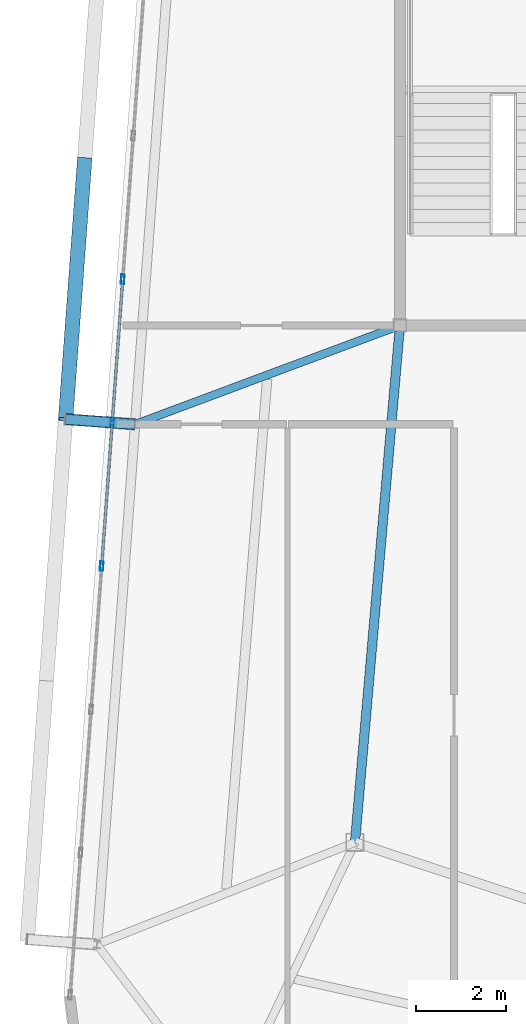
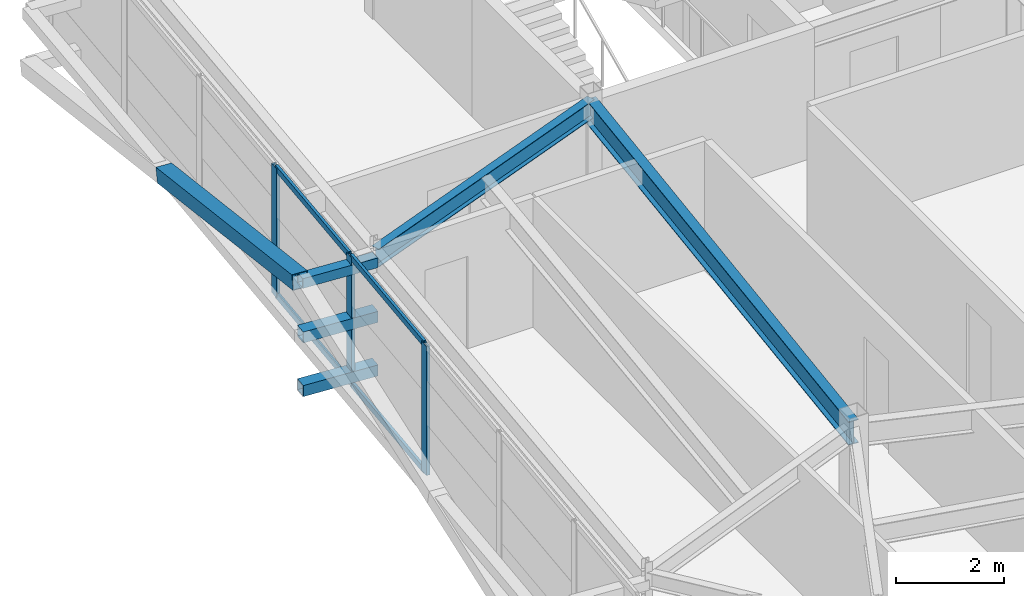
# One storey, part 15 of 42: 11 members, 2 beams, 1 element without a shape of its own.
"""IFC4 building model written with IfcOpenShell, lengths in metres."""

from ifc_helpers import new_model, si_unit, direction, frame, origin, origin_2d, place, context, subcontext, project, spatial, hollow_rectangle, i_section, extrude, source, transform, mapped, material, layer, layer_set, material_profile, profile_set, type_object, element, aggregate, save


model = new_model("IFC4")

# Units and contexts
model_context = context("Model", 3, precision=1e-05, world=origin(), true_north=direction((0.0, 1.0)))
body_context = subcontext(model_context, "Body", "Model", "MODEL_VIEW")
ifc_project = project(units=[si_unit("LENGTHUNIT", "METRE"), si_unit("AREAUNIT", "SQUARE_METRE"), si_unit("VOLUMEUNIT", "CUBIC_METRE"), si_unit("PLANEANGLEUNIT", "RADIAN"), si_unit("MASSUNIT", "GRAM", prefix="KILO")], contexts=[model_context])

# Site, building, storey
site_placement = place(None, origin())
site = spatial("IfcSite", under=ifc_project, at=site_placement, CompositionType="ELEMENT")
building_placement = place(site_placement, origin())
building = spatial("IfcBuilding", under=site, at=building_placement, Name="Taldren Reach Tower", CompositionType="ELEMENT")
storey_placement = place(building_placement, frame((0.0, 0.0, 217.699951171875)))
storey = spatial("IfcBuildingStorey", under=building, at=storey_placement, Name="L66", CompositionType="ELEMENT", Elevation=217.699951171875)

# Beams
ifc_material_1 = material(Name="Steel Gr 350 (350PLUS)", Category="steel")
ifc_material_profile_1 = material_profile(ifc_material_1, i_section(OverallWidth=0.208984375, OverallDepth=0.532958984375, WebThickness=0.01025390625, FlangeThickness=0.015625, at=origin_2d()), Name="530UB92.4")
ifc_profile_set_1 = profile_set([ifc_material_profile_1], Name="Steel Gr 350 (350PLUS)")
beam_type_1 = type_object("IfcBeamType", Name="BM-UB530A", PredefinedType="BEAM", material=ifc_profile_set_1)
shared_shape_1 = source(origin(), body_context, "Body", "SweptSolid", [
    extrude(i_section(OverallWidth=0.208984375, OverallDepth=0.532958984375, WebThickness=0.01025390625, FlangeThickness=0.015625, at=origin_2d()), origin(), (0.0, 0.0, 1.0), 11.54345703125),
])
beam_1_placement = place(storey_placement, frame((19.0, 24.0, 2.66357421875), z_axis=(-0.086629616365, -0.996240588196, 0.0), x_axis=(0.996240588196, -0.086629616365, 0.0)))
element("IfcBeam", 1, at=beam_1_placement, inside=storey, type_object=beam_type_1, Name="Core-spine girder L66-SP09", PredefinedType="BEAM", context=body_context, shape_type="MappedRepresentation", body=[
    mapped(shared_shape_1, transform((0.0, 0.0, 0.0), scale=1.0)),
])
ifc_material_profile_2 = material_profile(ifc_material_1, i_section(OverallWidth=0.177978515625, OverallDepth=0.406005859375, WebThickness=0.0078125, FlangeThickness=0.0126953125, at=origin_2d()), Name="410UB59.7")
ifc_profile_set_2 = profile_set([ifc_material_profile_2], Name="Steel Gr 350 (350PLUS)")
beam_type_2 = type_object("IfcBeamType", Name="BM-UB410", PredefinedType="BEAM", material=ifc_profile_set_2)
shared_shape_2 = source(origin(), body_context, "Body", "SweptSolid", [
    extrude(i_section(OverallWidth=0.177978515625, OverallDepth=0.406005859375, WebThickness=0.0078125, FlangeThickness=0.0126953125, at=origin_2d()), origin(), (0.0, 0.0, 1.0), 6.28857421875),
])
beam_2_placement = place(storey_placement, frame((19.0, 24.0, 2.72705078125), z_axis=(-0.936827605945, -0.349791418904, 0.0), x_axis=(0.349791418904, -0.936827605945, 0.0)))
element("IfcBeam", 2, at=beam_2_placement, inside=storey, type_object=beam_type_2, Name="Primary floor girder B5-W2 L66", PredefinedType="BEAM", context=body_context, shape_type="MappedRepresentation", body=[
    mapped(shared_shape_2, transform((0.0, 0.0, 0.0), scale=1.0)),
])

# Members
ifc_material_2 = material(Name="Steel Gr 450 (C450L0)", Category="steel")
ifc_material_profile_3 = material_profile(ifc_material_2, hollow_rectangle(XDim=0.219970703125, YDim=0.219970703125, WallThickness=0.00830078125, at=origin_2d()), Name="220x220x8.2SHS")
ifc_profile_set_3 = profile_set([ifc_material_profile_3], Name="Steel Gr 450 (C450L0)")
member_type_1 = type_object("IfcMemberType", Name="MB-TIE219", PredefinedType="STRUT", material=ifc_profile_set_3)
shared_shape_3 = source(origin(), body_context, "Body", "SweptSolid", [
    extrude(hollow_rectangle(XDim=0.219970703125, YDim=0.219970703125, WallThickness=0.00830078125, at=origin_2d()), origin(), (0.0, 0.0, 1.0), 1.546142578125),
])
member_1_placement = place(storey_placement, frame((13.104736328125, 21.800537109375, 2.650146484375), z_axis=(-0.997312378271, 0.073266773831, 0.0), x_axis=(-0.073266773831, -0.997312378271, 0.0)))
element("IfcMember", 3, at=member_1_placement, inside=storey, type_object=member_type_1, Name="Exoskeleton diaphragm tie strut B5-W2 L66", PredefinedType="STRUT", context=body_context, shape_type="MappedRepresentation", body=[
    mapped(shared_shape_3, transform((0.0, 0.0, 0.0), scale=1.0)),
])
ifc_material_profile_4 = material_profile(ifc_material_2, hollow_rectangle(XDim=0.324951171875, YDim=0.324951171875, WallThickness=0.0126953125, at=origin_2d()), Name="325x325x12.7SHS")
ifc_profile_set_4 = profile_set([ifc_material_profile_4], Name="Steel Gr 450 (C450L0)")
member_type_2 = type_object("IfcMemberType", Name="MB-BR324", PredefinedType="BRACE", material=ifc_profile_set_4)
shared_shape_4 = source(origin(), body_context, "Body", "SweptSolid", [
    extrude(hollow_rectangle(XDim=0.324951171875, YDim=0.324951171875, WallThickness=0.0126953125, at=origin_2d()), origin(), (0.0, 0.0, 1.0), 5.926025390625),
])
member_2_placement = place(storey_placement, frame((11.987548828125, 27.6982421875, 1.43505859375), z_axis=(-0.071685935393, -0.976123486939, 0.205046494513), x_axis=(0.997314185625, -0.073242167855, 0.0)))
element("IfcMember", 4, at=member_2_placement, inside=storey, type_object=member_type_2, Name="Exoskeleton Diagrid Brace B5-W2 L66", PredefinedType="BRACE", context=body_context, shape_type="MappedRepresentation", body=[
    mapped(shared_shape_4, transform((0.0, 0.0, 0.0), scale=1.0)),
])
ifc_material_3 = material(Name="Steel Gr 350 (C350L0)", Category="steel")
ifc_material_profile_5 = material_profile(ifc_material_3, hollow_rectangle(XDim=0.25, YDim=0.25, WallThickness=0.010009765625, at=origin_2d()), Name="250x250x10.0SHS")
ifc_profile_set_5 = profile_set([ifc_material_profile_5], Name="Steel Gr 350 (C350L0)")
member_type_3 = type_object("IfcMemberType", Name="MB-POST250", PredefinedType="POST", material=ifc_profile_set_5)
shared_shape_5 = source(origin(), body_context, "Body", "SweptSolid", [
    extrude(hollow_rectangle(XDim=0.25, YDim=0.25, WallThickness=0.010009765625, at=origin_2d()), origin(), (0.0, 0.0, 1.0), 1.546142578125),
])
for number, where, z_axis, x_axis, name in (
    (5, (13.104736328125, 21.800537109375, 0.219970703125), (-0.997312378271, 0.073266773831, 0.0), (-0.073266773831, -0.997312378271, 0.0), "Exoskeleton base diaphragm tie strut B5-W2 L66"),
    (6, (13.104736328125, 21.800537109375, 1.43505859375), (-0.997312378271, 0.073266773831, 0.0), (-0.073266773831, -0.997312378271, 0.0), "Exoskeleton mid-tier diaphragm tie B5-W2 L66"),
):
    element("IfcMember", number, at=place(storey_placement, frame(where, z_axis=z_axis, x_axis=x_axis)), inside=storey, type_object=member_type_3, Name=name, PredefinedType="POST", context=body_context, shape_type="MappedRepresentation", body=[
        mapped(shared_shape_5, transform((0.0, 0.0, 0.0), scale=1.0)),
    ])

# Curtain wall, members
ifc_material_4 = material(Name="Aluminium and Low-E Glass Unitised System", Category="aluminium")
ifc_layer = layer(ifc_material_4, 0.159912109375)
ifc_layer_set = layer_set([ifc_layer], Name="Aluminium and Low-E Glass Unitised System")
curtain_wall_type = type_object("IfcCurtainWallType", Name="CW-SYS-6", PredefinedType="NOTDEFINED", material=ifc_layer_set)
curtain_wall_placement = place(storey_placement, origin())
curtain_wall = element("IfcCurtainWall", 7, at=curtain_wall_placement, inside=storey, type_object=curtain_wall_type, Name="Unitised curtain wall CW-L66-W", PredefinedType="NOTDEFINED")
ifc_material_5 = material(Name="Anodised Aluminium 6063-T6", Category="aluminium")
ifc_material_profile_6 = material_profile(ifc_material_5, hollow_rectangle(XDim=0.074951171875, YDim=0.2099609375, WallThickness=0.00439453125, at=origin_2d()), Name="ALU-210x75x4.5RHS")
ifc_profile_set_6 = profile_set([ifc_material_profile_6], Name="Anodised Aluminium 6063-T6")
member_type_4 = type_object("IfcMemberType", Name="CW-MUL-200", PredefinedType="MULLION", material=ifc_profile_set_6)
shared_shape_6 = source(origin(), body_context, "Body", "SweptSolid", [
    extrude(hollow_rectangle(XDim=0.074951171875, YDim=0.2099609375, WallThickness=0.00439453125, at=origin_2d()), origin(), (0.0, 0.0, 1.0), 2.929931640625),
])
member_3_placement = place(storey_placement, frame((12.83447265625, 25.029052734375, 0.0), z_axis=(0.0, 0.0, 1.0), x_axis=(0.997314470951, -0.073238282558, 0.0)))
member_3 = element("IfcMember", 8, at=member_3_placement, type_object=member_type_4, Name="CW-6 mullion 4", PredefinedType="MULLION", context=body_context, shape_type="MappedRepresentation", body=[
    mapped(shared_shape_6, transform((0.0, 0.0, 0.0), scale=1.0)),
])
member_4_placement = place(storey_placement, frame((12.60009765625, 21.837646484375, 0.0), z_axis=(0.0, 0.0, 1.0), x_axis=(0.997314470951, -0.073238282558, 0.0)))
member_4 = element("IfcMember", 9, at=member_4_placement, type_object=member_type_4, Name="CW-6 mullion 5", PredefinedType="MULLION", context=body_context, shape_type="MappedRepresentation", body=[
    mapped(shared_shape_6, transform((0.0, 0.0, 0.0), scale=1.0)),
])
member_5_placement = place(storey_placement, frame((12.36572265625, 18.646240234375, 0.0), z_axis=(0.0, 0.0, 1.0), x_axis=(0.997314470951, -0.073238282558, 0.0)))
member_5 = element("IfcMember", 10, at=member_5_placement, type_object=member_type_4, Name="CW-6 mullion 6", PredefinedType="MULLION", context=body_context, shape_type="MappedRepresentation", body=[
    mapped(shared_shape_6, transform((0.0, 0.0, 0.0), scale=1.0)),
])
ifc_material_profile_7 = material_profile(ifc_material_5, hollow_rectangle(XDim=0.06005859375, YDim=0.135009765625, WallThickness=0.00341796875, at=origin_2d()), Name="ALU-135x60x3.5RHS")
ifc_profile_set_7 = profile_set([ifc_material_profile_7], Name="Anodised Aluminium 6063-T6")
member_type_5 = type_object("IfcMemberType", Name="CW-TRN-150", PredefinedType="USERDEFINED", material=ifc_profile_set_7)
shared_shape_7 = source(origin(), body_context, "Body", "SweptSolid", [
    extrude(hollow_rectangle(XDim=0.06005859375, YDim=0.135009765625, WallThickness=0.00341796875, at=origin_2d()), origin(), (0.0, 0.0, 1.0), 3.125),
])
member_6_placement = place(storey_placement, frame((12.831787109375, 24.99169921875, 0.030029296875), z_axis=(-0.073278879567, -0.997311488859, 0.0), x_axis=(0.997311488859, -0.073278879567, 0.0)))
member_6 = element("IfcMember", 11, at=member_6_placement, type_object=member_type_5, Name="CW-6 transom 4.1", ObjectType="TRANSOM", PredefinedType="USERDEFINED", context=body_context, shape_type="MappedRepresentation", body=[
    mapped(shared_shape_7, transform((0.0, 0.0, 0.0), scale=1.0)),
])
member_7_placement = place(storey_placement, frame((12.831787109375, 24.99169921875, 2.900146484375), z_axis=(-0.073278879567, -0.997311488859, 0.0), x_axis=(0.997311488859, -0.073278879567, 0.0)))
member_7 = element("IfcMember", 12, at=member_7_placement, type_object=member_type_5, Name="CW-6 transom 4.2", ObjectType="TRANSOM", PredefinedType="USERDEFINED", context=body_context, shape_type="MappedRepresentation", body=[
    mapped(shared_shape_7, transform((0.0, 0.0, 0.0), scale=1.0)),
])
member_8_placement = place(storey_placement, frame((12.597412109375, 21.80029296875, 0.030029296875), z_axis=(-0.073278879567, -0.997311488859, 0.0), x_axis=(0.997311488859, -0.073278879567, 0.0)))
member_8 = element("IfcMember", 13, at=member_8_placement, type_object=member_type_5, Name="CW-6 transom 5.1", ObjectType="TRANSOM", PredefinedType="USERDEFINED", context=body_context, shape_type="MappedRepresentation", body=[
    mapped(shared_shape_7, transform((0.0, 0.0, 0.0), scale=1.0)),
])
member_9_placement = place(storey_placement, frame((12.597412109375, 21.80029296875, 2.900146484375), z_axis=(-0.073278879567, -0.997311488859, 0.0), x_axis=(0.997311488859, -0.073278879567, 0.0)))
member_9 = element("IfcMember", 14, at=member_9_placement, type_object=member_type_5, Name="CW-6 transom 5.2", ObjectType="TRANSOM", PredefinedType="USERDEFINED", context=body_context, shape_type="MappedRepresentation", body=[
    mapped(shared_shape_7, transform((0.0, 0.0, 0.0), scale=1.0)),
])
aggregate(curtain_wall, [member_3, member_4, member_5, member_6, member_7, member_8, member_9])

save(model, "model.ifc")
